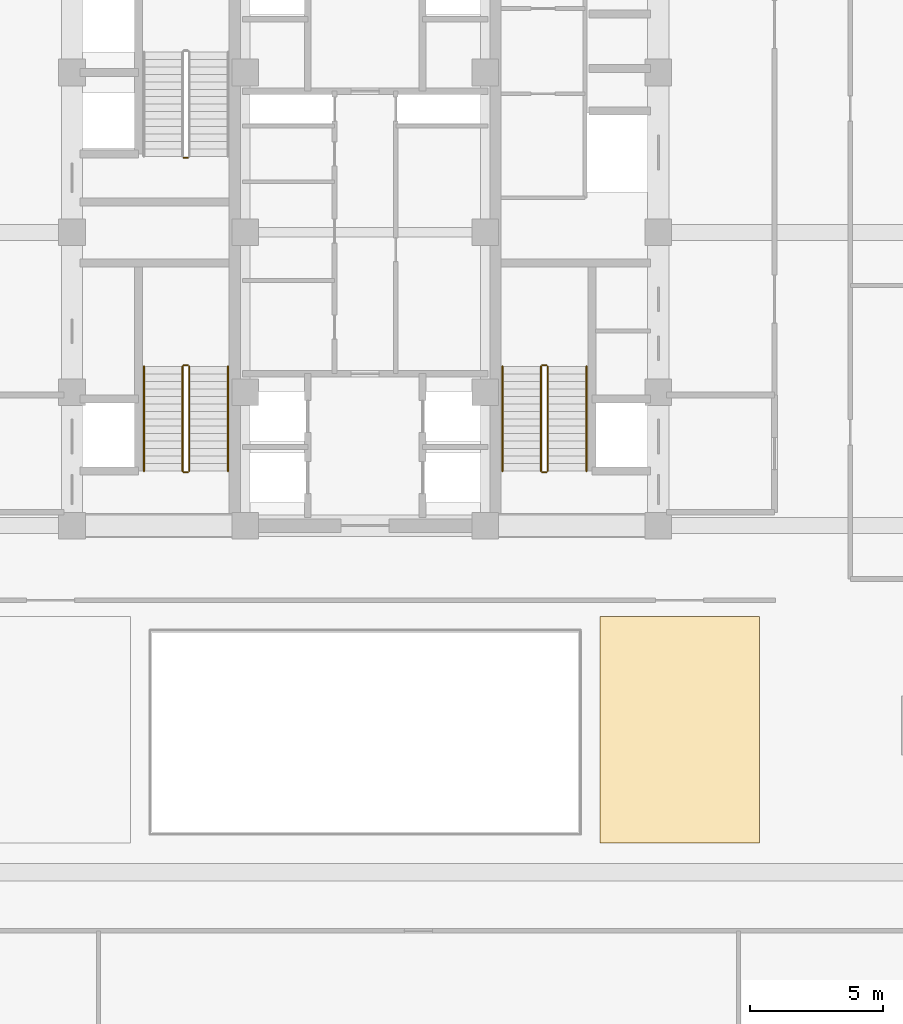
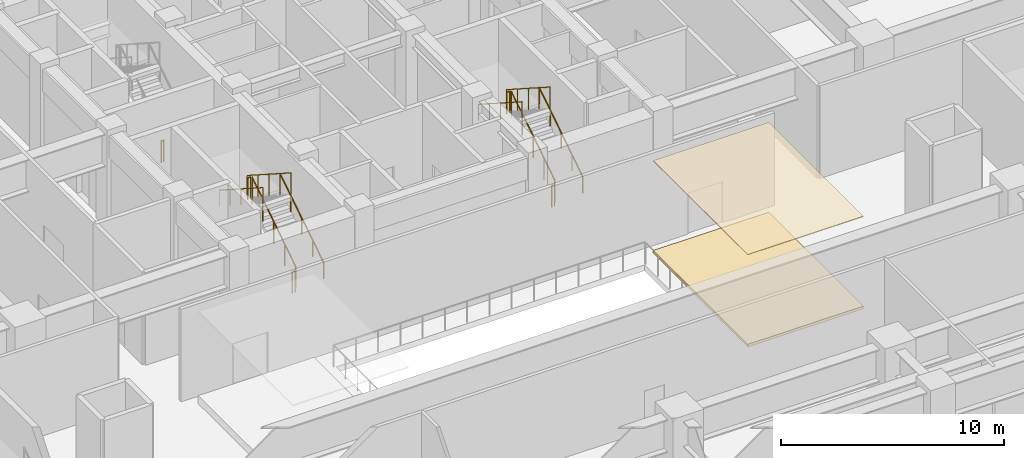
# One storey, part 24 of 28: 13 railings, 2 coverings.
"""IFC4 building model written with IfcOpenShell, lengths in metres."""

from ifc_helpers import new_model, si_unit, direction, frame, origin, origin_2d, place, context, subcontext, project, spatial, polyline, circle, outline, extrude, source, transform, mapped, material, layer, layer_set, type_object, element, save


model = new_model("IFC4")

# Units and contexts
model_context = context("Model", 3, precision=1e-05, world=origin(), true_north=direction((0.0, 1.0)))
body_context = subcontext(model_context, "Body", "Model", "MODEL_VIEW")
ifc_project = project(units=[si_unit("LENGTHUNIT", "METRE"), si_unit("AREAUNIT", "SQUARE_METRE"), si_unit("VOLUMEUNIT", "CUBIC_METRE"), si_unit("PLANEANGLEUNIT", "RADIAN"), si_unit("MASSUNIT", "GRAM", prefix="KILO")], contexts=[model_context])

# Site, building, storey
site_placement = place(None, origin())
site = spatial("IfcSite", under=ifc_project, at=site_placement, CompositionType="ELEMENT")
building_placement = place(site_placement, origin())
building = spatial("IfcBuilding", under=site, at=building_placement, Name="Khorayat Bourse Tower", CompositionType="ELEMENT")
storey_placement = place(building_placement, frame((0.0, 0.0, 12.0)))
storey = spatial("IfcBuildingStorey", under=building, at=storey_placement, Name="L02", CompositionType="ELEMENT", Elevation=12.0)

# Coverings
ifc_material_1 = material(Name="Mineral fibre acoustic ceiling tile")
ifc_layer_1 = layer(ifc_material_1, 0.0400390625)
ifc_layer_set_1 = layer_set([ifc_layer_1], Name="Mineral fibre acoustic ceiling tile")
covering_type_1 = type_object("IfcCoveringType", Name="COV-CEIL-ACOUSTIC", PredefinedType="CEILING", material=ifc_layer_set_1)
covering_1_placement = place(storey_placement, frame((0.0, 0.0, 5.0400390625)))
element("IfcCovering", 1, at=covering_1_placement, inside=storey, type_object=covering_type_1, Name="L02 Suspended Ceiling 2", PredefinedType="CEILING", context=body_context, shape_type="SweptSolid", body=[
    extrude(outline(polyline([(8.800048828125, -22.89990234375), (14.800048828125, -22.89990234375), (14.800048828125, -14.39990234375), (8.800048828125, -14.39990234375), (8.800048828125, -22.89990234375)])), origin(), (0.0, 0.0, 1.0), 0.0400390625),
])
ifc_material_2 = material(Name="Steel-encapsulated raised access floor", Category="steel")
ifc_layer_2 = layer(ifc_material_2, 0.14990234375)
ifc_layer_set_2 = layer_set([ifc_layer_2], Name="Steel-encapsulated raised access floor")
covering_type_2 = type_object("IfcCoveringType", Name="COV-RAF-OFFICE", PredefinedType="FLOORING", material=ifc_layer_set_2)
covering_2_placement = place(storey_placement, origin())
element("IfcCovering", 2, at=covering_2_placement, inside=storey, type_object=covering_type_2, Name="L02 Raised Access Floor 2", PredefinedType="FLOORING", context=body_context, shape_type="SweptSolid", body=[
    extrude(outline(polyline([(8.800048828125, -22.89990234375), (14.800048828125, -22.89990234375), (14.800048828125, -14.39990234375), (8.800048828125, -14.39990234375), (8.800048828125, -22.89990234375)])), origin(), (0.0, 0.0, 1.0), 0.14990234375),
])

# Railings
ifc_material_3 = material(Name="Powder-coated steel balustrade", Category="steel")
railing_type_1 = type_object("IfcRailingType", Name="RLG-GUARD-1200", PredefinedType="GUARDRAIL", material=ifc_material_3)
shared_shape_1 = source(origin(), body_context, "Body", "SweptSolid", [
    extrude(circle(Radius=0.02392578125, at=origin_2d()), frame((0.0, 0.0, 1.17578125), z_axis=(-1.0, 0.0, 0.0), x_axis=(0.0, -1.0, 0.0)), (0.0, 0.0, 1.0), 0.150146484375),
    extrude(circle(Radius=0.02099609375, at=origin_2d()), origin(), (0.0, 0.0, 1.0), 1.15185546875),
    extrude(circle(Radius=0.02099609375, at=origin_2d()), frame((-0.150146484375, 0.0, 0.0)), (0.0, 0.0, 1.0), 1.15185546875),
])
for number, where, name in (
    (3, (-6.64990234375, -4.97998046875, 2.699951171875), "L02 ST-1 stair guard 2"),
    (4, (-6.64990234375, -9.0, 0.0), "L02 ST-1 stair guard 4"),
    (5, (-6.64990234375, 2.800048828125, 0.0), "L02 ST-2 stair guard 4"),
    (6, (6.800048828125, -4.97998046875, 2.699951171875), "L02 ST-3 stair guard 2"),
    (7, (6.800048828125, -9.0, 0.0), "L02 ST-3 stair guard 4"),
):
    element("IfcRailing", number, at=place(storey_placement, frame(where)), inside=storey, type_object=railing_type_1, Name=name, PredefinedType="GUARDRAIL", context=body_context, shape_type="MappedRepresentation", body=[
        mapped(shared_shape_1, transform((0.0, 0.0, 0.0), scale=1.0)),
    ])
shared_shape_2 = source(origin(), body_context, "Body", "SweptSolid", [
    extrude(circle(Radius=0.02392578125, at=origin_2d()), frame((0.0, 0.0, 1.17578125), z_axis=(0.0, 0.841171666519, 0.540768182723), x_axis=(-1.0, 0.0, 0.0)), (0.0, 0.0, 1.0), 4.66015625),
    extrude(circle(Radius=0.02099609375, at=origin_2d()), origin(), (0.0, 0.0, 1.0), 1.15185546875),
    extrude(circle(Radius=0.02099609375, at=origin_2d()), frame((0.0, 0.97998046875, 0.6298828125)), (0.0, 0.0, 1.0), 1.15185546875),
    extrude(circle(Radius=0.02099609375, at=origin_2d()), frame((0.0, 1.9599609375, 1.260009765625)), (0.0, 0.0, 1.0), 1.15185546875),
    extrude(circle(Radius=0.02099609375, at=origin_2d()), frame((0.0, 2.93994140625, 1.89013671875)), (0.0, 0.0, 1.0), 1.15185546875),
    extrude(circle(Radius=0.02099609375, at=origin_2d()), frame((0.0, 3.919921875, 2.52001953125)), (0.0, 0.0, 1.0), 1.15185546875),
])
for number, where, name in (
    (8, (-6.60009765625, -8.949951171875, 0.179931640625), "L02 ST-1 stair guard 1"),
    (9, (6.85009765625, -8.949951171875, 0.179931640625), "L02 ST-3 stair guard 1"),
):
    element("IfcRailing", number, at=place(storey_placement, frame(where)), inside=storey, type_object=railing_type_1, Name=name, PredefinedType="GUARDRAIL", context=body_context, shape_type="MappedRepresentation", body=[
        mapped(shared_shape_2, transform((0.0, 0.0, 0.0), scale=1.0)),
    ])
shared_shape_3 = source(origin(), body_context, "Body", "SweptSolid", [
    extrude(circle(Radius=0.02392578125, at=origin_2d()), frame((0.0, 0.0, 1.17578125), z_axis=(0.0, -0.841171666519, 0.540768182723), x_axis=(1.0, 0.0, 0.0)), (0.0, 0.0, 1.0), 4.66015625),
    extrude(circle(Radius=0.02099609375, at=origin_2d()), origin(), (0.0, 0.0, 1.0), 1.15185546875),
    extrude(circle(Radius=0.02099609375, at=origin_2d()), frame((0.0, -0.97998046875, 0.6298828125)), (0.0, 0.0, 1.0), 1.15185546875),
    extrude(circle(Radius=0.02099609375, at=origin_2d()), frame((0.0, -1.9599609375, 1.260009765625)), (0.0, 0.0, 1.0), 1.15185546875),
    extrude(circle(Radius=0.02099609375, at=origin_2d()), frame((0.0, -2.93994140625, 1.89013671875)), (0.0, 0.0, 1.0), 1.15185546875),
    extrude(circle(Radius=0.02099609375, at=origin_2d()), frame((0.0, -3.919921875, 2.52001953125)), (0.0, 0.0, 1.0), 1.15185546875),
])
for number, where, name in (
    (10, (-6.85009765625, -5.030029296875, 2.8798828125), "L02 ST-1 stair guard 3"),
    (11, (6.60009765625, -5.030029296875, 2.8798828125), "L02 ST-3 stair guard 3"),
):
    element("IfcRailing", number, at=place(storey_placement, frame(where)), inside=storey, type_object=railing_type_1, Name=name, PredefinedType="GUARDRAIL", context=body_context, shape_type="MappedRepresentation", body=[
        mapped(shared_shape_3, transform((0.0, 0.0, 0.0), scale=1.0)),
    ])
ifc_material_4 = material(Name="Brushed bronze stainless-steel handrail", Category="steel")
railing_type_2 = type_object("IfcRailingType", Name="RLG-HAND-900", PredefinedType="HANDRAIL", material=ifc_material_4)
shared_shape_4 = source(origin(), body_context, "Body", "SweptSolid", [
    extrude(circle(Radius=0.02392578125, at=origin_2d()), frame((0.0, 0.0, 0.8759765625), z_axis=(0.0, 0.841171666519, 0.540768182723), x_axis=(-1.0, 0.0, 0.0)), (0.0, 0.0, 1.0), 4.66015625),
    extrude(circle(Radius=0.02099609375, at=origin_2d()), origin(), (0.0, 0.0, 1.0), 0.851806640625),
    extrude(circle(Radius=0.02099609375, at=origin_2d()), frame((0.0, 0.97998046875, 0.6298828125)), (0.0, 0.0, 1.0), 0.851806640625),
    extrude(circle(Radius=0.02099609375, at=origin_2d()), frame((0.0, 1.9599609375, 1.260009765625)), (0.0, 0.0, 1.0), 0.851806640625),
    extrude(circle(Radius=0.02099609375, at=origin_2d()), frame((0.0, 2.93994140625, 1.89013671875)), (0.0, 0.0, 1.0), 0.851806640625),
    extrude(circle(Radius=0.02099609375, at=origin_2d()), frame((0.0, 3.919921875, 2.52001953125)), (0.0, 0.0, 1.0), 0.851806640625),
])
for number, where, name in (
    (12, (-5.14990234375, -8.949951171875, 0.179931640625), "L02 ST-1 stair handrail 1"),
    (13, (8.300048828125, -8.949951171875, 0.179931640625), "L02 ST-3 stair handrail 1"),
):
    element("IfcRailing", number, at=place(storey_placement, frame(where)), inside=storey, type_object=railing_type_2, Name=name, PredefinedType="HANDRAIL", context=body_context, shape_type="MappedRepresentation", body=[
        mapped(shared_shape_4, transform((0.0, 0.0, 0.0), scale=1.0)),
    ])
shared_shape_5 = source(origin(), body_context, "Body", "SweptSolid", [
    extrude(circle(Radius=0.02392578125, at=origin_2d()), frame((0.0, 0.0, 0.8759765625), z_axis=(0.0, -0.841171666519, 0.540768182723), x_axis=(1.0, 0.0, 0.0)), (0.0, 0.0, 1.0), 4.66015625),
    extrude(circle(Radius=0.02099609375, at=origin_2d()), origin(), (0.0, 0.0, 1.0), 0.851806640625),
    extrude(circle(Radius=0.02099609375, at=origin_2d()), frame((0.0, -0.97998046875, 0.6298828125)), (0.0, 0.0, 1.0), 0.851806640625),
    extrude(circle(Radius=0.02099609375, at=origin_2d()), frame((0.0, -1.9599609375, 1.260009765625)), (0.0, 0.0, 1.0), 0.851806640625),
    extrude(circle(Radius=0.02099609375, at=origin_2d()), frame((0.0, -2.93994140625, 1.89013671875)), (0.0, 0.0, 1.0), 0.851806640625),
    extrude(circle(Radius=0.02099609375, at=origin_2d()), frame((0.0, -3.919921875, 2.52001953125)), (0.0, 0.0, 1.0), 0.851806640625),
])
for number, where, name in (
    (14, (-8.300048828125, -5.030029296875, 2.8798828125), "L02 ST-1 stair handrail 2"),
    (15, (5.14990234375, -5.030029296875, 2.8798828125), "L02 ST-3 stair handrail 2"),
):
    element("IfcRailing", number, at=place(storey_placement, frame(where)), inside=storey, type_object=railing_type_2, Name=name, PredefinedType="HANDRAIL", context=body_context, shape_type="MappedRepresentation", body=[
        mapped(shared_shape_5, transform((0.0, 0.0, 0.0), scale=1.0)),
    ])

save(model, "model.ifc")
